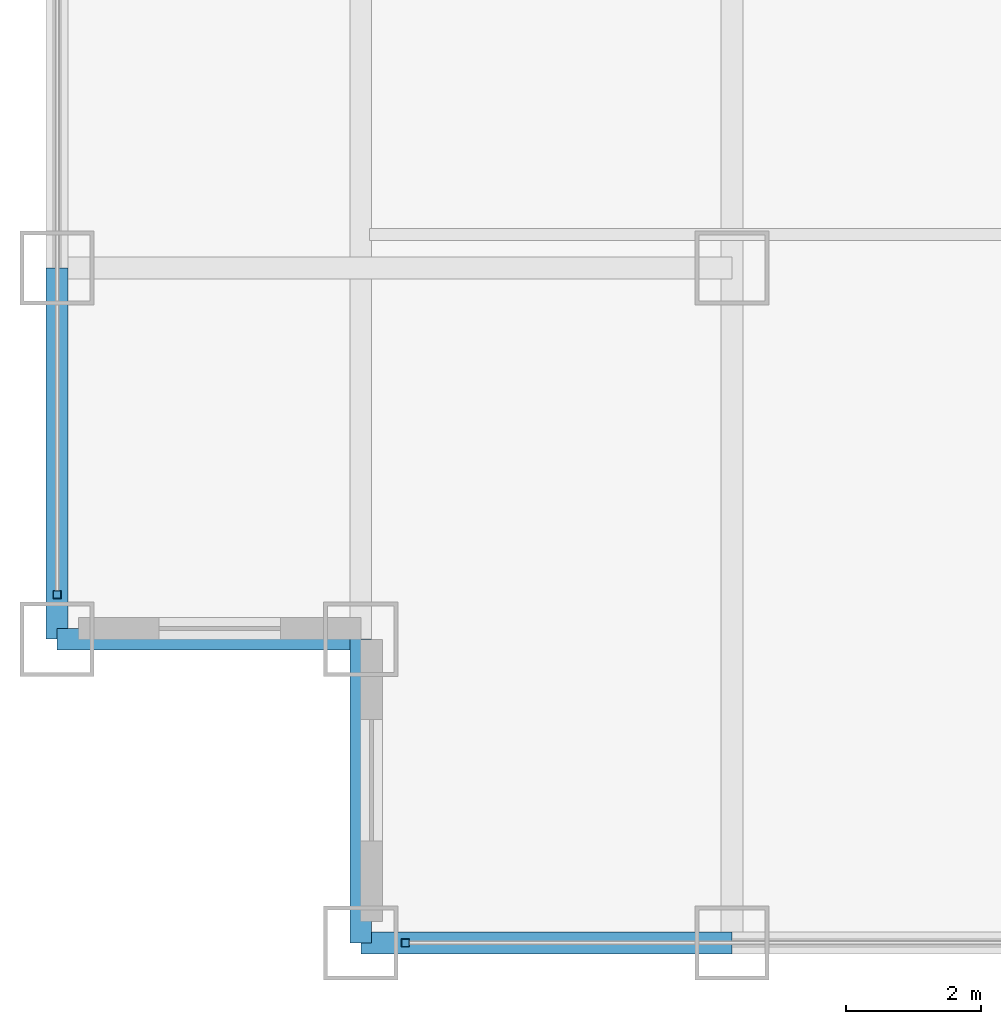
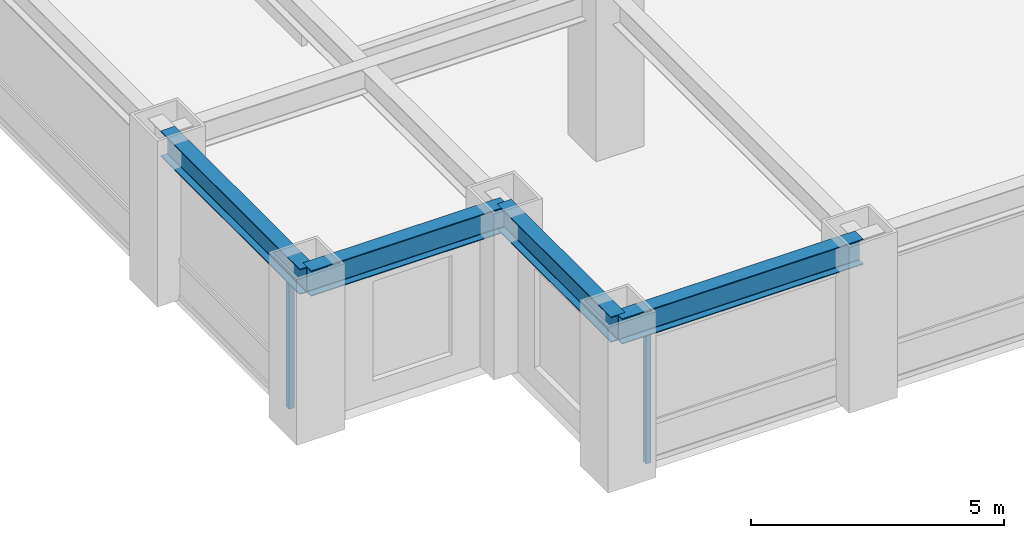
# One storey, part 2 of 25: 4 beams, 2 members, 2 elements without a shape of their own.
"""IFC4 building model written with IfcOpenShell, lengths in metres."""

import ifcopenshell
import ifcopenshell.guid

model = None  # the IFC model being written
_history = None  # IfcOwnerHistory: only IFC2X3 demands one
_inside = {}  # id of a spatial element -> (the spatial element, [elements in it])
_under = {}  # id of a project, library or spatial element -> (it, [spatial elements below it])
_declared = {}  # id of a project -> (the project, [libraries it declares])
_typed = {}  # id of a type object -> (the type object, [elements of that type])
_made_of = {}  # id of a material, layer set ... -> (it, [elements and type objects made of it])


def new_model(schema):
    """Start an empty IFC model of exactly this schema.

    Asked for "IFC4X3", IfcOpenShell would pick the latest addendum, in which some entities
    have other attributes; the version numbers below select the first issue.
    IFC2X3 requires an IfcOwnerHistory on every rooted entity: one is made here for all.
    """
    global model, _history
    if schema == "IFC4X3":
        model = ifcopenshell.file(schema_version=(4, 3, 0, 0))
    else:
        model = ifcopenshell.file(schema=schema)
    _inside.clear()
    _under.clear()
    _declared.clear()
    _typed.clear()
    _made_of.clear()
    _history = None
    if model.schema == "IFC2X3":
        org = make("IfcOrganization", Name="unknown")
        user = make(
            "IfcPersonAndOrganization",
            ThePerson=make("IfcPerson", FamilyName="unknown"),
            TheOrganization=org,
        )
        app = make(
            "IfcApplication",
            ApplicationDeveloper=org,
            Version="unknown",
            ApplicationFullName="unknown",
            ApplicationIdentifier="unknown",
        )
        _history = make(
            "IfcOwnerHistory",
            OwningUser=user,
            OwningApplication=app,
            ChangeAction="ADDED",
            CreationDate=0,
        )
    return model


def make(cls, **values):
    """One entity of the class cls with the attributes given. An attribute that is None is left unset."""
    return model.create_entity(
        cls, **{name: value for name, value in values.items() if value is not None}
    )


def rooted(cls, **values):
    """An entity with a GlobalId (a new one), such as an element, a storey or a relation."""
    return make(cls, GlobalId=ifcopenshell.guid.new(), OwnerHistory=_history, **values)


def si_unit(unit_type, name, prefix=None):
    """IfcSIUnit, for example si_unit("LENGTHUNIT", "METRE", prefix="MILLI")."""
    return make("IfcSIUnit", UnitType=unit_type, Prefix=prefix, Name=name)


def assignment(units):
    """IfcUnitAssignment: the units of a project."""
    return None if units is None else make("IfcUnitAssignment", Units=units)


def point(xyz):
    """IfcCartesianPoint."""
    return None if xyz is None else make("IfcCartesianPoint", Coordinates=xyz)


def direction(xyz):
    """IfcDirection."""
    return None if xyz is None else make("IfcDirection", DirectionRatios=xyz)


def frame(location, z_axis=None, x_axis=None):
    """IfcAxis2Placement3D, a coordinate frame: its origin and axes. An axis left out is left unset."""
    return make(
        "IfcAxis2Placement3D",
        Location=point(location),
        Axis=direction(z_axis),
        RefDirection=direction(x_axis),
    )


def frame_2d(location, x_axis=None):
    """IfcAxis2Placement2D, a coordinate frame in the plane: its origin and x axis."""
    return make(
        "IfcAxis2Placement2D", Location=point(location), RefDirection=direction(x_axis)
    )


def origin():
    """The frame at (0, 0, 0) with its axes left unset."""
    return frame((0.0, 0.0, 0.0))


def origin_2d():
    """The frame at (0, 0) in the plane with its x axis left unset."""
    return frame_2d((0.0, 0.0))


def place(relative_to, where):
    """IfcLocalPlacement: puts the frame where relative to a parent placement (None: the world)."""
    return make(
        "IfcLocalPlacement", PlacementRelTo=relative_to, RelativePlacement=where
    )


def context(
    kind, dimensions, precision=None, world=None, true_north=None, identifier=None
):
    """IfcGeometricRepresentationContext, for example the 3D "Model" context."""
    return make(
        "IfcGeometricRepresentationContext",
        ContextIdentifier=identifier,
        ContextType=kind,
        CoordinateSpaceDimension=dimensions,
        Precision=precision,
        WorldCoordinateSystem=world,
        TrueNorth=true_north,
    )


def subcontext(parent, identifier, kind, view, scale=None):
    """IfcGeometricRepresentationSubContext, for example "Body" below "Model"."""
    return make(
        "IfcGeometricRepresentationSubContext",
        ContextIdentifier=identifier,
        ContextType=kind,
        ParentContext=parent,
        TargetScale=scale,
        TargetView=view,
    )


def project(units=None, contexts=None):
    """IfcProject with its units and contexts."""
    return rooted(
        "IfcProject",
        Name="project",
        RepresentationContexts=contexts,
        UnitsInContext=assignment(units),
    )


def spatial(cls, under=None, at=None, **own):
    """A site, building, storey or space (cls), placed at a placement, below another one or the project."""
    s = rooted(cls, ObjectPlacement=at, **own)
    if under is not None:
        _under.setdefault(under.id(), (under, []))[1].append(s)
    return s


def profile(cls, at=None, kind="AREA", **sizes):
    """A parametric profile (cls). Its sizes go by their IFC names, for example OverallWidth=200.0."""
    return make(cls, ProfileType=kind, Position=at, **sizes)


def hollow_rectangle(**sizes):
    """IfcRectangleHollowProfileDef."""
    return profile("IfcRectangleHollowProfileDef", **sizes)


def i_section(**sizes):
    """IfcIShapeProfileDef."""
    return profile("IfcIShapeProfileDef", **sizes)


def extrude(swept, where, along, depth):
    """IfcExtrudedAreaSolid: the profile swept, set in the frame where, extruded along a direction by depth."""
    return make(
        "IfcExtrudedAreaSolid",
        SweptArea=swept,
        Position=where,
        ExtrudedDirection=direction(along),
        Depth=depth,
    )


def shape(context_of_items, identifier, shape_type, items):
    """IfcShapeRepresentation: the items that make up one representation, for example the "Body"."""
    return make(
        "IfcShapeRepresentation",
        ContextOfItems=context_of_items,
        RepresentationIdentifier=identifier,
        RepresentationType=shape_type,
        Items=items,
    )


def source(mapping_origin, context_of_items, identifier, shape_type, items):
    """IfcRepresentationMap: a shape defined once, which mapped items show again and again."""
    return make(
        "IfcRepresentationMap",
        MappingOrigin=mapping_origin,
        MappedRepresentation=shape(context_of_items, identifier, shape_type, items),
    )


def transform(
    local_origin,
    x_axis=None,
    y_axis=None,
    z_axis=None,
    scale=None,
    scale2=None,
    scale3=None,
    uniform=True,
):
    """IfcCartesianTransformationOperator3D, or its non-uniform kind. x_axis, y_axis, z_axis: its Axis1, 2, 3."""
    if uniform:
        return make(
            "IfcCartesianTransformationOperator3D",
            Axis1=direction(x_axis),
            Axis2=direction(y_axis),
            LocalOrigin=point(local_origin),
            Scale=scale,
            Axis3=direction(z_axis),
        )
    return make(
        "IfcCartesianTransformationOperator3DnonUniform",
        Axis1=direction(x_axis),
        Axis2=direction(y_axis),
        LocalOrigin=point(local_origin),
        Scale=scale,
        Axis3=direction(z_axis),
        Scale2=scale2,
        Scale3=scale3,
    )


def mapped(mapping_source, mapping_target):
    """IfcMappedItem: shows the shape of a source again, moved by a transform."""
    return make(
        "IfcMappedItem", MappingSource=mapping_source, MappingTarget=mapping_target
    )


def material(Name=None, Category=None):
    """IfcMaterial."""
    return make("IfcMaterial", Name=Name, Category=Category)


def material_profile(
    of_material, cross_section, Name=None, Category=None, Priority=None
):
    """IfcMaterialProfile: a cross section and its material."""
    return make(
        "IfcMaterialProfile",
        Name=Name,
        Material=of_material,
        Profile=cross_section,
        Priority=Priority,
        Category=Category,
    )


def profile_set(profiles, Name=None, composite=None):
    """IfcMaterialProfileSet."""
    return make(
        "IfcMaterialProfileSet",
        Name=Name,
        MaterialProfiles=profiles,
        CompositeProfile=composite,
    )


def made_of(thing, what):
    """Note that an element or type object is made of a material, layer set ...; save() writes the relation."""
    if what is not None:
        _made_of.setdefault(what.id(), (what, []))[1].append(thing)
    return thing


def type_object(cls, material=None, **own):
    """A type object (cls), such as IfcWallType, which elements share."""
    return made_of(rooted(cls, **own), material)


def element(
    cls,
    number,
    at=None,
    inside=None,
    cuts=None,
    type_object=None,
    material=None,
    context=None,
    identifier="Body",
    shape_type=None,
    held_by="IfcProductDefinitionShape",
    body=None,
    shapes=None,
    **own,
):
    """One element of the class cls, such as IfcWall. Its Tag is "e" and its number.

    at: its placement. inside: the storey or other place that contains it. cuts: it is an
    opening in that element (IfcRelVoidsElement). A single representation is given by context,
    identifier, shape_type and body (its items); several are given by shapes. held_by: the class
    of the entity that holds the representations. save() writes the other relations.
    """
    e = rooted(cls, Tag="e%d" % number, ObjectPlacement=at, **own)
    if body is not None:
        shapes = [shape(context, identifier, shape_type, body)]
    if shapes is not None:
        e.Representation = make(held_by, Representations=shapes)
    if inside is not None:
        _inside.setdefault(inside.id(), (inside, []))[1].append(e)
    if cuts is not None:
        rooted(
            "IfcRelVoidsElement", RelatingBuildingElement=cuts, RelatedOpeningElement=e
        )
    if type_object is not None:
        _typed.setdefault(type_object.id(), (type_object, []))[1].append(e)
    return made_of(e, material)


def aggregate(whole, parts):
    """IfcRelAggregates: a whole, such as a stair, and the parts it consists of."""
    return rooted("IfcRelAggregates", RelatingObject=whole, RelatedObjects=parts)


def save(model, path):
    """Write the relations noted so far, then the file.

    IfcRelAggregates (storeys below a building ...), IfcRelContainedInSpatialStructure (elements
    in a storey), IfcRelDefinesByType, IfcRelAssociatesMaterial and IfcRelDeclares: one each for
    every whole, place, type object, material and project.
    """
    for whole, parts in _under.values():
        aggregate(whole, parts)
    for where, things in _inside.values():
        rooted(
            "IfcRelContainedInSpatialStructure",
            RelatedElements=things,
            RelatingStructure=where,
        )
    for kind, things in _typed.values():
        rooted("IfcRelDefinesByType", RelatedObjects=things, RelatingType=kind)
    for what, things in _made_of.values():
        rooted("IfcRelAssociatesMaterial", RelatedObjects=things, RelatingMaterial=what)
    for by, libraries in _declared.values():
        rooted("IfcRelDeclares", RelatingContext=by, RelatedDefinitions=libraries)
    model.write(path)


model = new_model("IFC4")

# Units and contexts
model_context = context("Model", 3, precision=1e-05, world=origin(), true_north=direction((0.0, 1.0)))
body_context = subcontext(model_context, "Body", "Model", "MODEL_VIEW")
ifc_project = project(units=[si_unit("LENGTHUNIT", "METRE"), si_unit("AREAUNIT", "SQUARE_METRE"), si_unit("VOLUMEUNIT", "CUBIC_METRE"), si_unit("PLANEANGLEUNIT", "RADIAN"), si_unit("MASSUNIT", "GRAM", prefix="KILO")], contexts=[model_context])

# Site, building, storey
site_placement = place(None, origin())
site = spatial("IfcSite", under=ifc_project, at=site_placement, CompositionType="ELEMENT")
building_placement = place(site_placement, origin())
building = spatial("IfcBuilding", under=site, at=building_placement, Name="Khorayat Bourse Tower", CompositionType="ELEMENT")
storey_placement = place(building_placement, frame((0.0, 0.0, 195.10009765625)))
storey = spatial("IfcBuildingStorey", under=building, at=storey_placement, Name="L45", CompositionType="ELEMENT", Elevation=195.10009765625)

# Beams
ifc_material_1 = material(Name="Steel ASTM A992 Grade 50", Category="steel")
ifc_material_profile_1 = material_profile(ifc_material_1, i_section(OverallWidth=0.324951171875, OverallDepth=0.615966796875, WebThickness=0.013916015625, FlangeThickness=0.021484375, FilletRadius=0.01611328125, at=origin_2d()), Name="W610X174")
ifc_profile_set_1 = profile_set([ifc_material_profile_1], Name="Steel ASTM A992 Grade 50")
beam_type = type_object("IfcBeamType", Name="BM-SPAN-610", PredefinedType="SPANDREL", material=ifc_profile_set_1)
shared_shape_1 = source(origin(), body_context, "Body", "SweptSolid", [
    extrude(i_section(OverallWidth=0.324951171875, OverallDepth=0.615966796875, WebThickness=0.013916015625, FlangeThickness=0.021484375, FilletRadius=0.01611328125, at=origin_2d()), origin(), (0.0, 0.0, 1.0), 5.5),
])
for number, where, z_axis, x_axis, name in (
    (1, (-25.5, -30.0, 3.471923828125), (1.0, 0.0, 0.0), (0.0, 1.0, 0.0), "L45 BM-SPAN-610 BM-L45-SPN-024"),
    (2, (-30.0, -25.5, 3.471923828125), (0.0, 1.0, 0.0), (-1.0, 0.0, 0.0), "L45 BM-SPAN-610 BM-L45-SPN-061"),
):
    element("IfcBeam", number, at=place(storey_placement, frame(where, z_axis=z_axis, x_axis=x_axis)), inside=storey, type_object=beam_type, Name=name, PredefinedType="SPANDREL", context=body_context, shape_type="MappedRepresentation", body=[
        mapped(shared_shape_1, transform((0.0, 0.0, 0.0), scale=1.0)),
    ])
shared_shape_2 = source(origin(), body_context, "Body", "SweptSolid", [
    extrude(i_section(OverallWidth=0.324951171875, OverallDepth=0.615966796875, WebThickness=0.013916015625, FlangeThickness=0.021484375, FilletRadius=0.01611328125, at=origin_2d()), origin(), (0.0, 0.0, 1.0), 4.5),
])
for number, where, z_axis, x_axis, name in (
    (3, (-30.0, -25.5, 3.471923828125), (1.0, 0.0, 0.0), (0.0, 1.0, 0.0), "L45 BM-SPAN-610 BM-L45-SPN-062"),
    (4, (-25.5, -30.0, 3.471923828125), (0.0, 1.0, 0.0), (-1.0, 0.0, 0.0), "L45 BM-SPAN-610 BM-L45-SPN-063"),
):
    element("IfcBeam", number, at=place(storey_placement, frame(where, z_axis=z_axis, x_axis=x_axis)), inside=storey, type_object=beam_type, Name=name, PredefinedType="SPANDREL", context=body_context, shape_type="MappedRepresentation", body=[
        mapped(shared_shape_2, transform((0.0, 0.0, 0.0), scale=1.0)),
    ])

# Curtain wall, member
ifc_material_2 = material(Name="Aluminium EN AW-6063 T6", Category="aluminium")
curtain_wall_type = type_object("IfcCurtainWallType", Name="CW-SYS-03", PredefinedType="NOTDEFINED", material=ifc_material_2)
curtain_wall_1_placement = place(storey_placement, origin())
curtain_wall_1 = element("IfcCurtainWall", 5, at=curtain_wall_1_placement, inside=storey, type_object=curtain_wall_type, Name="L45 Curtain Wall CW-L45-S1", PredefinedType="NOTDEFINED")
ifc_material_profile_2 = material_profile(ifc_material_2, hollow_rectangle(XDim=0.1201171875, YDim=0.1201171875, WallThickness=0.0048828125, at=origin_2d()), Name="ALU 120x120x5")
ifc_profile_set_2 = profile_set([ifc_material_profile_2], Name="Aluminium EN AW-6063 T6")
member_type = type_object("IfcMemberType", Name="CWM-VERT-120", PredefinedType="MULLION", material=ifc_profile_set_2)
shared_shape_3 = source(origin(), body_context, "Body", "SweptSolid", [
    extrude(hollow_rectangle(XDim=0.1201171875, YDim=0.1201171875, WallThickness=0.0048828125, at=origin_2d()), origin(), (0.0, 0.0, 1.0), 3.1298828125),
])
member_1_placement = place(storey_placement, frame((-24.840087890625, -30.0, 0.0), z_axis=(0.0, 0.0, 1.0), x_axis=(0.0, 1.0, 0.0)))
member_1 = element("IfcMember", 6, at=member_1_placement, type_object=member_type, Name="CW-L45-S1 Vertical Mullion 1", PredefinedType="MULLION", context=body_context, shape_type="MappedRepresentation", body=[
    mapped(shared_shape_3, transform((0.0, 0.0, 0.0), scale=1.0)),
])
aggregate(curtain_wall_1, [member_1])

curtain_wall_2_placement = place(storey_placement, origin())
curtain_wall_2 = element("IfcCurtainWall", 7, at=curtain_wall_2_placement, inside=storey, type_object=curtain_wall_type, Name="L45 Curtain Wall CW-L45-W1", PredefinedType="NOTDEFINED")
member_2_placement = place(storey_placement, frame((-30.0, -24.840087890625, 0.0), z_axis=(0.0, 0.0, 1.0), x_axis=(-1.0, 0.0, 0.0)))
member_2 = element("IfcMember", 8, at=member_2_placement, type_object=member_type, Name="CW-L45-W1 Vertical Mullion 1", PredefinedType="MULLION", context=body_context, shape_type="MappedRepresentation", body=[
    mapped(shared_shape_3, transform((0.0, 0.0, 0.0), scale=1.0)),
])
aggregate(curtain_wall_2, [member_2])

save(model, "model.ifc")
